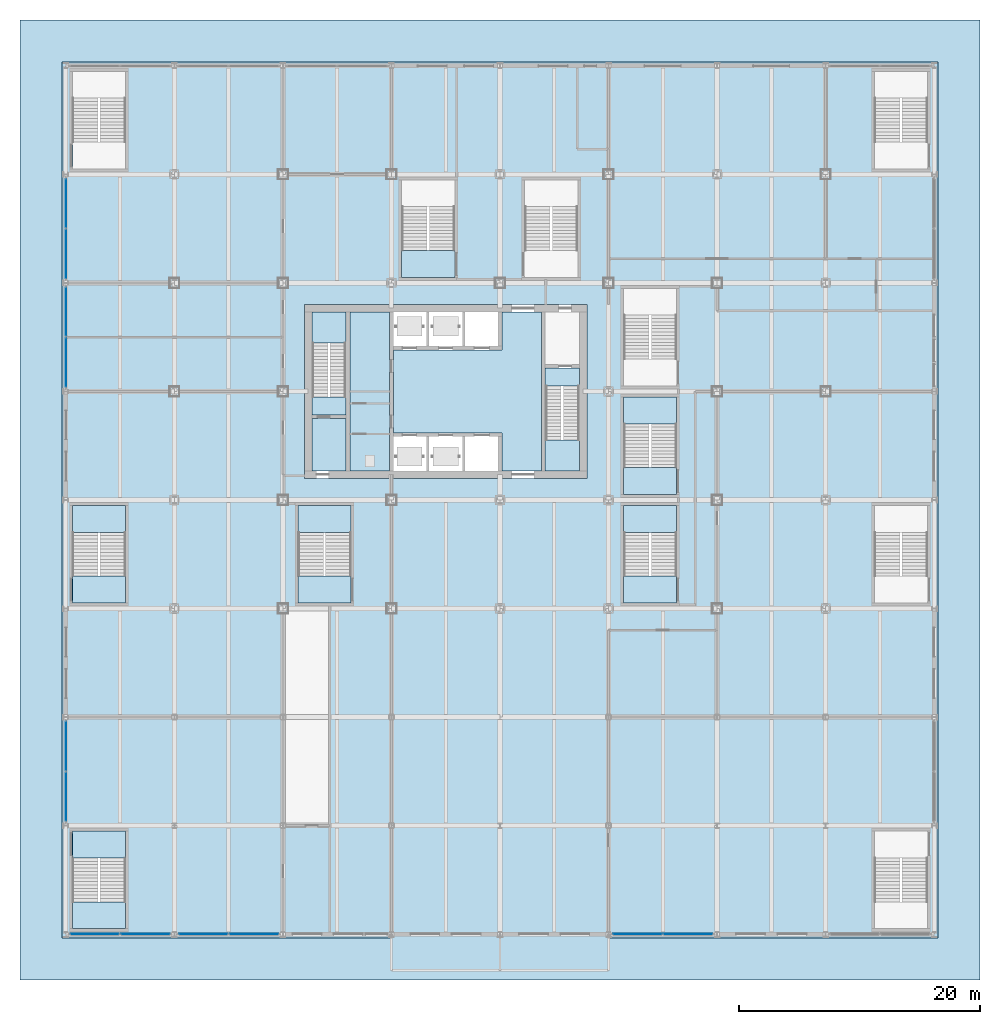
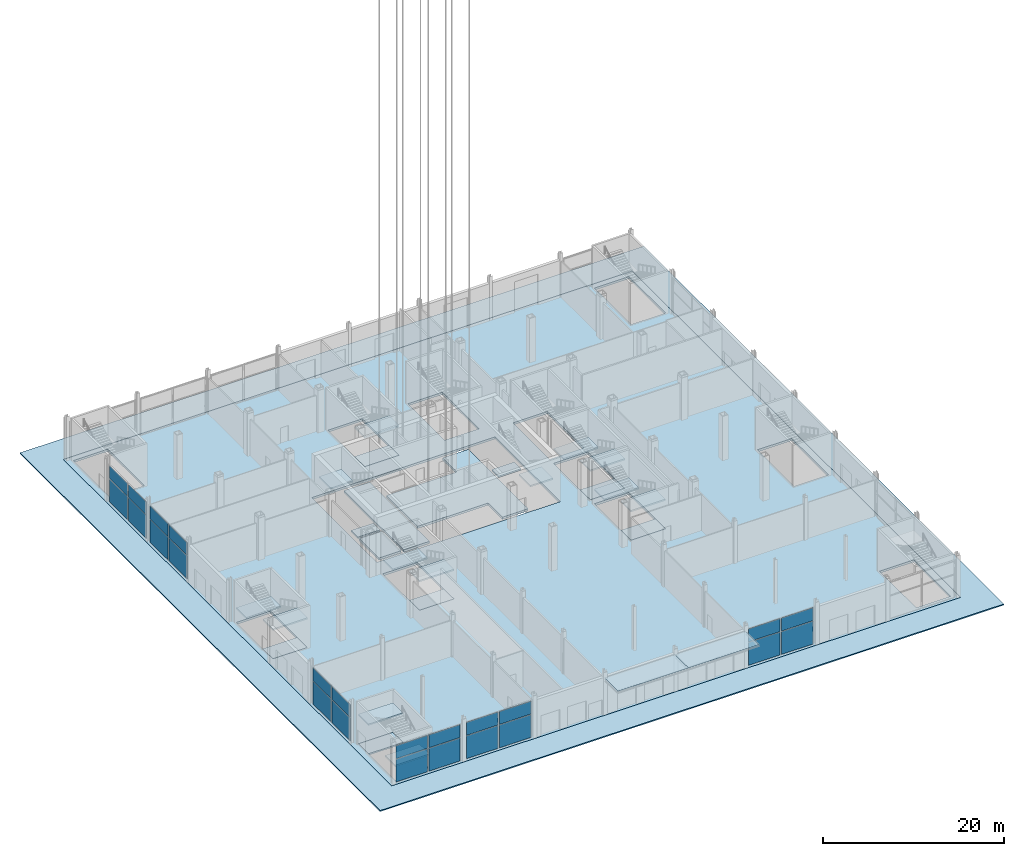
# One storey, part 16 of 34: 26 plates, 26 slabs, 14 elements without a shape of their own.
"""IFC4 building model written with IfcOpenShell, lengths in metres."""

from ifc_helpers import new_model, si_unit, direction, frame, origin, origin_2d, place, context, subcontext, project, spatial, polyline, rectangle, outline, extrude, material, layer, layer_set, type_object, element, aggregate, save


model = new_model("IFC4")

# Units and contexts
model_context = context("Model", 3, precision=1e-05, world=origin(), true_north=direction((0.0, 1.0)))
body_context = subcontext(model_context, "Body", "Model", "MODEL_VIEW")
ifc_project = project(units=[si_unit("LENGTHUNIT", "METRE"), si_unit("AREAUNIT", "SQUARE_METRE"), si_unit("VOLUMEUNIT", "CUBIC_METRE"), si_unit("PLANEANGLEUNIT", "RADIAN"), si_unit("MASSUNIT", "GRAM", prefix="KILO")], contexts=[model_context])

# Site, building, storey
site_placement = place(None, origin())
site = spatial("IfcSite", under=ifc_project, at=site_placement, CompositionType="ELEMENT")
building_placement = place(site_placement, origin())
building = spatial("IfcBuilding", under=site, at=building_placement, Name="Loomwork Tower", CompositionType="ELEMENT")
storey_placement = place(building_placement, origin())
storey = spatial("IfcBuildingStorey", under=building, at=storey_placement, Name="L00", CompositionType="ELEMENT", Elevation=0.0)

# Plates
ifc_material_1 = material(Name="Laminated glass", Category="glass")
ifc_layer_1 = layer(ifc_material_1, 0.02490234375)
ifc_layer_set_1 = layer_set([ifc_layer_1], Name="Canopy glass 25")
plate_type_1 = type_object("IfcPlateType", Name="Canopy glass 25", PredefinedType="SHEET", material=ifc_layer_set_1)
for number, where, z_axis, x_axis, name in (
    (1, (22.5, -28.5, 4.800048828125), (0.0, 0.0, 1.0), (1.0, 0.0, 0.0), "Canopy glass 18-27"),
    (2, (31.5, -28.5, 4.800048828125), (0.0, 0.0, 1.0), (1.0, 0.0, 0.0), "Canopy glass 27-36"),
):
    element("IfcPlate", number, at=place(storey_placement, frame(where, z_axis=z_axis, x_axis=x_axis)), inside=storey, type_object=plate_type_1, Name=name, PredefinedType="SHEET", context=body_context, shape_type="SweptSolid", body=[
        extrude(rectangle(XDim=9.0, YDim=3.0, at=origin_2d()), origin(), (0.0, 0.0, 1.0), 0.02490234375),
    ])

# Slabs
ifc_material_2 = material(Name="Concrete 5000 psi (34 MPa) on composite metal deck", Category="concrete")
ifc_layer_2 = layer(ifc_material_2, 0.300048828125)
ifc_layer_set_2 = layer_set([ifc_layer_2], Name="Floor slab 300")
slab_type_1 = type_object("IfcSlabType", Name="Floor slab 300", PredefinedType="FLOOR", material=ifc_layer_set_2)
slab_1_placement = place(storey_placement, frame((0.0, 0.0, -0.300048828125)))
element("IfcSlab", 3, at=slab_1_placement, inside=storey, type_object=slab_type_1, Name="Floor slab L00", PredefinedType="FLOOR", context=body_context, shape_type="SweptSolid", body=[
    extrude(outline(polyline([(-9.300048828125, -27.300048828125), (-9.300048828125, 45.300048828125), (63.300048828125, 45.300048828125), (63.300048828125, -27.300048828125), (-9.300048828125, -27.300048828125)]), holes=[polyline([(62.449951171875, -26.550048828125), (62.449951171875, -18.449951171875), (58.050048828125, -18.449951171875), (58.050048828125, -26.550048828125), (62.449951171875, -26.550048828125)]), polyline([(58.050048828125, 36.449951171875), (62.449951171875, 36.449951171875), (62.449951171875, 44.550048828125), (58.050048828125, 44.550048828125), (58.050048828125, 36.449951171875)]), polyline([(58.050048828125, 0.449951171875), (62.449951171875, 0.449951171875), (62.449951171875, 8.550048828125), (58.050048828125, 8.550048828125), (58.050048828125, 0.449951171875)]), polyline([(41.64990234375, 9.449951171875), (41.64990234375, 17.550048828125), (37.25, 17.550048828125), (37.25, 9.449951171875), (41.64990234375, 9.449951171875)]), polyline([(37.25, 18.449951171875), (41.64990234375, 18.449951171875), (41.64990234375, 26.550048828125), (37.25, 26.550048828125), (37.25, 18.449951171875)]), polyline([(37.25, 0.449951171875), (41.64990234375, 0.449951171875), (41.64990234375, 8.550048828125), (37.25, 8.550048828125), (37.25, 0.449951171875)]), polyline([(34.199951171875, 11.39990234375), (34.199951171875, 24.60009765625), (34.199951171875, 25.199951171875), (10.800048828125, 25.199951171875), (10.800048828125, 24.60009765625), (10.800048828125, 11.39990234375), (10.800048828125, 11.39990234375), (10.800048828125, 10.800048828125), (34.199951171875, 10.800048828125), (34.199951171875, 11.39990234375), (34.199951171875, 11.39990234375)]), polyline([(29.050048828125, 27.449951171875), (33.449951171875, 27.449951171875), (33.449951171875, 35.550048828125), (29.050048828125, 35.550048828125), (29.050048828125, 27.449951171875)]), polyline([(18.85009765625, 27.449951171875), (23.25, 27.449951171875), (23.25, 35.550048828125), (18.85009765625, 35.550048828125), (18.85009765625, 27.449951171875)]), polyline([(10.25, 0.449951171875), (14.64990234375, 0.449951171875), (14.64990234375, 8.550048828125), (10.25, 8.550048828125), (10.25, 0.449951171875)]), polyline([(-4.050048828125, -26.550048828125), (-4.050048828125, -18.449951171875), (-8.449951171875, -18.449951171875), (-8.449951171875, -26.550048828125), (-4.050048828125, -26.550048828125)]), polyline([(-8.449951171875, 36.449951171875), (-4.050048828125, 36.449951171875), (-4.050048828125, 44.550048828125), (-8.449951171875, 44.550048828125), (-8.449951171875, 36.449951171875)]), polyline([(-8.449951171875, 0.449951171875), (-4.050048828125, 0.449951171875), (-4.050048828125, 8.550048828125), (-8.449951171875, 8.550048828125), (-8.449951171875, 0.449951171875)])]), origin(), (0.0, 0.0, 1.0), 0.300048828125),
])
slab_2_placement = place(storey_placement, frame((0.0, 0.0, -0.300048828125)))
element("IfcSlab", 4, at=slab_2_placement, inside=storey, type_object=slab_type_1, Name="Floor slab L00", PredefinedType="FLOOR", context=body_context, shape_type="SweptSolid", body=[
    extrude(outline(polyline([(18.14990234375, 21.449951171875), (27.14990234375, 21.449951171875), (27.14990234375, 21.75), (27.14990234375, 24.60009765625), (30.449951171875, 24.60009765625), (30.449951171875, 11.39990234375), (27.14990234375, 11.39990234375), (27.14990234375, 14.25), (27.14990234375, 14.550048828125), (18.14990234375, 14.550048828125), (18.14990234375, 21.449951171875)])), origin(), (0.0, 0.0, 1.0), 0.300048828125),
])
slab_3_placement = place(storey_placement, frame((0.0, 0.0, -0.300048828125)))
element("IfcSlab", 5, at=slab_3_placement, inside=storey, type_object=slab_type_1, Name="Floor slab L00", PredefinedType="FLOOR", context=body_context, shape_type="SweptSolid", body=[
    extrude(outline(polyline([(14.550048828125, 24.60009765625), (17.85009765625, 24.60009765625), (17.85009765625, 11.39990234375), (14.550048828125, 11.39990234375), (14.550048828125, 24.60009765625)])), origin(), (0.0, 0.0, 1.0), 0.300048828125),
])
slab_4_placement = place(storey_placement, frame((0.0, 0.0, -0.300048828125)))
element("IfcSlab", 6, at=slab_4_placement, inside=storey, type_object=slab_type_1, Name="Floor slab L00", PredefinedType="FLOOR", context=body_context, shape_type="SweptSolid", body=[
    extrude(outline(polyline([(14.25, 15.75), (14.25, 11.39990234375), (11.39990234375, 11.39990234375), (11.39990234375, 15.75), (14.25, 15.75)])), origin(), (0.0, 0.0, 1.0), 0.300048828125),
])
ifc_material_3 = material(Name="Concrete paving on subbase", Category="concrete")
ifc_layer_3 = layer(ifc_material_3, 0.14990234375)
ifc_layer_set_3 = layer_set([ifc_layer_3], Name="Sidewalk paving 150")
slab_type_2 = type_object("IfcSlabType", Name="Sidewalk paving 150", PredefinedType="FLOOR", material=ifc_layer_set_3)
slab_5_placement = place(storey_placement, frame((0.0, 0.0, -0.14990234375)))
element("IfcSlab", 7, at=slab_5_placement, inside=storey, type_object=slab_type_2, Name="Sidewalk paving", PredefinedType="FLOOR", context=body_context, shape_type="SweptSolid", body=[
    extrude(outline(polyline([(-12.800048828125, -30.800048828125), (-12.800048828125, 48.800048828125), (66.800048828125, 48.800048828125), (66.800048828125, -30.800048828125), (-12.800048828125, -30.800048828125)]), holes=[polyline([(63.300048828125, 45.300048828125), (-9.300048828125, 45.300048828125), (-9.300048828125, -27.300048828125), (63.300048828125, -27.300048828125), (63.300048828125, 45.300048828125)])]), origin(), (0.0, 0.0, 1.0), 0.14990234375),
])

# Stair, slabs
ifc_material_4 = material(Name="Concrete 5000 psi (34 MPa) precast stair", Category="concrete")
stair_type_1 = type_object("IfcStairType", Name="Stair ST-A 34 risers 2850 wide", PredefinedType="HALF_TURN_STAIR", material=ifc_material_4)
stair_1_placement = place(storey_placement, origin())
stair_1 = element("IfcStair", 8, at=stair_1_placement, inside=storey, type_object=stair_type_1, Name="Stair A L00", PredefinedType="HALF_TURN_STAIR")
ifc_material_5 = material(Name="Concrete 5000 psi (34 MPa)", Category="concrete")
ifc_layer_4 = layer(ifc_material_5, 0.199951171875)
ifc_layer_set_4 = layer_set([ifc_layer_4], Name="Stair landing 200")
slab_type_3 = type_object("IfcSlabType", Name="Stair landing 200", PredefinedType="LANDING", material=ifc_layer_set_4)
slab_6_placement = place(storey_placement, frame((0.0, 0.0, -0.199951171875)))
slab_6 = element("IfcSlab", 9, at=slab_6_placement, type_object=slab_type_3, Name="ST-A landing 1", PredefinedType="LANDING", context=body_context, shape_type="SweptSolid", body=[
    extrude(outline(polyline([(11.39990234375, 16.050048828125), (14.25, 16.050048828125), (14.25, 17.550048828125), (11.39990234375, 17.550048828125), (11.39990234375, 16.050048828125)])), origin(), (0.0, 0.0, 1.0), 0.199951171875),
])
slab_7_placement = place(storey_placement, frame((0.0, 0.0, 2.800048828125)))
slab_7 = element("IfcSlab", 10, at=slab_7_placement, type_object=slab_type_3, Name="ST-A landing 2", PredefinedType="LANDING", context=body_context, shape_type="SweptSolid", body=[
    extrude(outline(polyline([(11.39990234375, 22.030029296875), (14.25, 22.030029296875), (14.25, 24.60009765625), (11.39990234375, 24.60009765625), (11.39990234375, 22.030029296875)])), origin(), (0.0, 0.0, 1.0), 0.199951171875),
])
aggregate(stair_1, [slab_6, slab_7])

ifc_material_6 = material(Name="Concrete 5000 psi (34 MPa) precast stair", Category="concrete")
stair_type_2 = type_object("IfcStairType", Name="Stair ST-B 34 risers 2850 wide", PredefinedType="HALF_TURN_STAIR", material=ifc_material_6)
stair_2_placement = place(storey_placement, origin())
stair_2 = element("IfcStair", 11, at=stair_2_placement, inside=storey, type_object=stair_type_2, Name="Stair B L00", PredefinedType="HALF_TURN_STAIR")
slab_8_placement = place(storey_placement, frame((0.0, 0.0, -0.199951171875)))
slab_8 = element("IfcSlab", 12, at=slab_8_placement, type_object=slab_type_3, Name="ST-B landing 1", PredefinedType="LANDING", context=body_context, shape_type="SweptSolid", body=[
    extrude(outline(polyline([(30.75, 18.449951171875), (33.60009765625, 18.449951171875), (33.60009765625, 19.949951171875), (30.75, 19.949951171875), (30.75, 18.449951171875)])), origin(), (0.0, 0.0, 1.0), 0.199951171875),
])
slab_9_placement = place(storey_placement, frame((0.0, 0.0, 2.800048828125)))
slab_9 = element("IfcSlab", 13, at=slab_9_placement, type_object=slab_type_3, Name="ST-B landing 2", PredefinedType="LANDING", context=body_context, shape_type="SweptSolid", body=[
    extrude(outline(polyline([(30.75, 11.39990234375), (33.60009765625, 11.39990234375), (33.60009765625, 13.969970703125), (30.75, 13.969970703125), (30.75, 11.39990234375)])), origin(), (0.0, 0.0, 1.0), 0.199951171875),
])
aggregate(stair_2, [slab_8, slab_9])

ifc_material_7 = material(Name="Concrete 5000 psi (34 MPa) precast stair", Category="concrete")
stair_type_3 = type_object("IfcStairType", Name="Stair ST-S1P 42 risers of 143 4400 wide", PredefinedType="HALF_TURN_STAIR", material=ifc_material_7)
stair_3_placement = place(storey_placement, origin())
stair_3 = element("IfcStair", 14, at=stair_3_placement, inside=storey, type_object=stair_type_3, Name="Podium stair PS1 L00", PredefinedType="HALF_TURN_STAIR")
slab_10_placement = place(storey_placement, frame((0.0, 0.0, -0.199951171875)))
slab_10 = element("IfcSlab", 15, at=slab_10_placement, type_object=slab_type_3, Name="ST-S1P landing 1", PredefinedType="LANDING", context=body_context, shape_type="SweptSolid", body=[
    extrude(outline(polyline([(-8.449951171875, -20.679931640625), (-4.050048828125, -20.679931640625), (-4.050048828125, -18.449951171875), (-8.449951171875, -18.449951171875), (-8.449951171875, -20.679931640625)])), origin(), (0.0, 0.0, 1.0), 0.199951171875),
])
slab_11_placement = place(storey_placement, frame((0.0, 0.0, 1.800048828125)))
slab_11 = element("IfcSlab", 16, at=slab_11_placement, type_object=slab_type_3, Name="ST-S1P landing 2", PredefinedType="LANDING", context=body_context, shape_type="SweptSolid", body=[
    extrude(outline(polyline([(-8.449951171875, -26.550048828125), (-4.050048828125, -26.550048828125), (-4.050048828125, -24.320068359375), (-8.449951171875, -24.320068359375), (-8.449951171875, -26.550048828125)])), origin(), (0.0, 0.0, 1.0), 0.199951171875),
])
slab_12_placement = place(storey_placement, frame((0.0, 0.0, 3.800048828125)))
slab_12 = element("IfcSlab", 17, at=slab_12_placement, type_object=slab_type_3, Name="ST-S1P landing 3", PredefinedType="LANDING", context=body_context, shape_type="SweptSolid", body=[
    extrude(outline(polyline([(-8.449951171875, -20.679931640625), (-4.050048828125, -20.679931640625), (-4.050048828125, -18.449951171875), (-8.449951171875, -18.449951171875), (-8.449951171875, -20.679931640625)])), origin(), (0.0, 0.0, 1.0), 0.199951171875),
])
aggregate(stair_3, [slab_10, slab_11, slab_12])

ifc_material_8 = material(Name="Concrete 5000 psi (34 MPa) precast stair", Category="concrete")
stair_type_4 = type_object("IfcStairType", Name="Stair ST-S5P 42 risers of 143 4400 wide", PredefinedType="HALF_TURN_STAIR", material=ifc_material_8)
stair_4_placement = place(storey_placement, origin())
stair_4 = element("IfcStair", 18, at=stair_4_placement, inside=storey, type_object=stair_type_4, Name="Podium stair PS5 L00", PredefinedType="HALF_TURN_STAIR")
slab_13_placement = place(storey_placement, frame((0.0, 0.0, -0.199951171875)))
slab_13 = element("IfcSlab", 19, at=slab_13_placement, type_object=slab_type_3, Name="ST-S5P landing 1", PredefinedType="LANDING", context=body_context, shape_type="SweptSolid", body=[
    extrude(outline(polyline([(-8.449951171875, 0.449951171875), (-4.050048828125, 0.449951171875), (-4.050048828125, 2.679931640625), (-8.449951171875, 2.679931640625), (-8.449951171875, 0.449951171875)])), origin(), (0.0, 0.0, 1.0), 0.199951171875),
])
slab_14_placement = place(storey_placement, frame((0.0, 0.0, 1.800048828125)))
slab_14 = element("IfcSlab", 20, at=slab_14_placement, type_object=slab_type_3, Name="ST-S5P landing 2", PredefinedType="LANDING", context=body_context, shape_type="SweptSolid", body=[
    extrude(outline(polyline([(-8.449951171875, 6.320068359375), (-4.050048828125, 6.320068359375), (-4.050048828125, 8.550048828125), (-8.449951171875, 8.550048828125), (-8.449951171875, 6.320068359375)])), origin(), (0.0, 0.0, 1.0), 0.199951171875),
])
slab_15_placement = place(storey_placement, frame((0.0, 0.0, 3.800048828125)))
slab_15 = element("IfcSlab", 21, at=slab_15_placement, type_object=slab_type_3, Name="ST-S5P landing 3", PredefinedType="LANDING", context=body_context, shape_type="SweptSolid", body=[
    extrude(outline(polyline([(-8.449951171875, 0.449951171875), (-4.050048828125, 0.449951171875), (-4.050048828125, 2.679931640625), (-8.449951171875, 2.679931640625), (-8.449951171875, 0.449951171875)])), origin(), (0.0, 0.0, 1.0), 0.199951171875),
])
aggregate(stair_4, [slab_13, slab_14, slab_15])

ifc_material_9 = material(Name="Concrete 5000 psi (34 MPa) precast stair", Category="concrete")
stair_type_5 = type_object("IfcStairType", Name="Stair ST-S7P 42 risers of 143 4400 wide", PredefinedType="HALF_TURN_STAIR", material=ifc_material_9)
stair_5_placement = place(storey_placement, origin())
stair_5 = element("IfcStair", 22, at=stair_5_placement, inside=storey, type_object=stair_type_5, Name="Podium stair PS7 L00", PredefinedType="HALF_TURN_STAIR")
slab_16_placement = place(storey_placement, frame((0.0, 0.0, -0.199951171875)))
slab_16 = element("IfcSlab", 23, at=slab_16_placement, type_object=slab_type_3, Name="ST-S7P landing 1", PredefinedType="LANDING", context=body_context, shape_type="SweptSolid", body=[
    extrude(outline(polyline([(37.25, 0.449951171875), (41.64990234375, 0.449951171875), (41.64990234375, 2.679931640625), (37.25, 2.679931640625), (37.25, 0.449951171875)])), origin(), (0.0, 0.0, 1.0), 0.199951171875),
])
slab_17_placement = place(storey_placement, frame((0.0, 0.0, 1.800048828125)))
slab_17 = element("IfcSlab", 24, at=slab_17_placement, type_object=slab_type_3, Name="ST-S7P landing 2", PredefinedType="LANDING", context=body_context, shape_type="SweptSolid", body=[
    extrude(outline(polyline([(37.25, 6.320068359375), (41.64990234375, 6.320068359375), (41.64990234375, 8.550048828125), (37.25, 8.550048828125), (37.25, 6.320068359375)])), origin(), (0.0, 0.0, 1.0), 0.199951171875),
])
slab_18_placement = place(storey_placement, frame((0.0, 0.0, 3.800048828125)))
slab_18 = element("IfcSlab", 25, at=slab_18_placement, type_object=slab_type_3, Name="ST-S7P landing 3", PredefinedType="LANDING", context=body_context, shape_type="SweptSolid", body=[
    extrude(outline(polyline([(37.25, 0.449951171875), (41.64990234375, 0.449951171875), (41.64990234375, 2.679931640625), (37.25, 2.679931640625), (37.25, 0.449951171875)])), origin(), (0.0, 0.0, 1.0), 0.199951171875),
])
aggregate(stair_5, [slab_16, slab_17, slab_18])

ifc_material_10 = material(Name="Concrete 5000 psi (34 MPa) precast stair", Category="concrete")
stair_type_6 = type_object("IfcStairType", Name="Stair ST-S8P 42 risers of 143 4400 wide", PredefinedType="HALF_TURN_STAIR", material=ifc_material_10)
stair_6_placement = place(storey_placement, origin())
stair_6 = element("IfcStair", 26, at=stair_6_placement, inside=storey, type_object=stair_type_6, Name="Podium stair PS8 L00", PredefinedType="HALF_TURN_STAIR")
slab_19_placement = place(storey_placement, frame((0.0, 0.0, -0.199951171875)))
slab_19 = element("IfcSlab", 27, at=slab_19_placement, type_object=slab_type_3, Name="ST-S8P landing 1", PredefinedType="LANDING", context=body_context, shape_type="SweptSolid", body=[
    extrude(outline(polyline([(37.25, 9.449951171875), (41.64990234375, 9.449951171875), (41.64990234375, 11.679931640625), (37.25, 11.679931640625), (37.25, 9.449951171875)])), origin(), (0.0, 0.0, 1.0), 0.199951171875),
])
slab_20_placement = place(storey_placement, frame((0.0, 0.0, 1.800048828125)))
slab_20 = element("IfcSlab", 28, at=slab_20_placement, type_object=slab_type_3, Name="ST-S8P landing 2", PredefinedType="LANDING", context=body_context, shape_type="SweptSolid", body=[
    extrude(outline(polyline([(37.25, 15.320068359375), (41.64990234375, 15.320068359375), (41.64990234375, 17.550048828125), (37.25, 17.550048828125), (37.25, 15.320068359375)])), origin(), (0.0, 0.0, 1.0), 0.199951171875),
])
slab_21_placement = place(storey_placement, frame((0.0, 0.0, 3.800048828125)))
slab_21 = element("IfcSlab", 29, at=slab_21_placement, type_object=slab_type_3, Name="ST-S8P landing 3", PredefinedType="LANDING", context=body_context, shape_type="SweptSolid", body=[
    extrude(outline(polyline([(37.25, 9.449951171875), (41.64990234375, 9.449951171875), (41.64990234375, 11.679931640625), (37.25, 11.679931640625), (37.25, 9.449951171875)])), origin(), (0.0, 0.0, 1.0), 0.199951171875),
])
aggregate(stair_6, [slab_19, slab_20, slab_21])

ifc_material_11 = material(Name="Concrete 5000 psi (34 MPa) precast stair", Category="concrete")
stair_type_7 = type_object("IfcStairType", Name="Stair ST-S10P 42 risers of 143 4400 wide", PredefinedType="HALF_TURN_STAIR", material=ifc_material_11)
stair_7_placement = place(storey_placement, origin())
stair_7 = element("IfcStair", 30, at=stair_7_placement, inside=storey, type_object=stair_type_7, Name="Podium stair PS10 L00", PredefinedType="HALF_TURN_STAIR")
slab_22_placement = place(storey_placement, frame((0.0, 0.0, -0.199951171875)))
slab_22 = element("IfcSlab", 31, at=slab_22_placement, type_object=slab_type_3, Name="ST-S10P landing 1", PredefinedType="LANDING", context=body_context, shape_type="SweptSolid", body=[
    extrude(outline(polyline([(18.85009765625, 27.449951171875), (23.25, 27.449951171875), (23.25, 29.679931640625), (18.85009765625, 29.679931640625), (18.85009765625, 27.449951171875)])), origin(), (0.0, 0.0, 1.0), 0.199951171875),
])
slab_23_placement = place(storey_placement, frame((0.0, 0.0, 3.800048828125)))
slab_23 = element("IfcSlab", 32, at=slab_23_placement, type_object=slab_type_3, Name="ST-S10P landing 3", PredefinedType="LANDING", context=body_context, shape_type="SweptSolid", body=[
    extrude(outline(polyline([(18.85009765625, 27.449951171875), (23.25, 27.449951171875), (23.25, 29.679931640625), (18.85009765625, 29.679931640625), (18.85009765625, 27.449951171875)])), origin(), (0.0, 0.0, 1.0), 0.199951171875),
])
aggregate(stair_7, [slab_22, slab_23])

ifc_material_12 = material(Name="Concrete 5000 psi (34 MPa) precast stair", Category="concrete")
stair_type_8 = type_object("IfcStairType", Name="Stair ST-S12P 42 risers of 143 4400 wide", PredefinedType="HALF_TURN_STAIR", material=ifc_material_12)
stair_8_placement = place(storey_placement, origin())
stair_8 = element("IfcStair", 33, at=stair_8_placement, inside=storey, type_object=stair_type_8, Name="Podium stair PS12 L00", PredefinedType="HALF_TURN_STAIR")
slab_24_placement = place(storey_placement, frame((0.0, 0.0, -0.199951171875)))
slab_24 = element("IfcSlab", 34, at=slab_24_placement, type_object=slab_type_3, Name="ST-S12P landing 1", PredefinedType="LANDING", context=body_context, shape_type="SweptSolid", body=[
    extrude(outline(polyline([(10.25, 0.449951171875), (14.64990234375, 0.449951171875), (14.64990234375, 2.679931640625), (10.25, 2.679931640625), (10.25, 0.449951171875)])), origin(), (0.0, 0.0, 1.0), 0.199951171875),
])
slab_25_placement = place(storey_placement, frame((0.0, 0.0, 1.800048828125)))
slab_25 = element("IfcSlab", 35, at=slab_25_placement, type_object=slab_type_3, Name="ST-S12P landing 2", PredefinedType="LANDING", context=body_context, shape_type="SweptSolid", body=[
    extrude(outline(polyline([(10.25, 6.320068359375), (14.64990234375, 6.320068359375), (14.64990234375, 8.550048828125), (10.25, 8.550048828125), (10.25, 6.320068359375)])), origin(), (0.0, 0.0, 1.0), 0.199951171875),
])
slab_26_placement = place(storey_placement, frame((0.0, 0.0, 3.800048828125)))
slab_26 = element("IfcSlab", 36, at=slab_26_placement, type_object=slab_type_3, Name="ST-S12P landing 3", PredefinedType="LANDING", context=body_context, shape_type="SweptSolid", body=[
    extrude(outline(polyline([(10.25, 0.449951171875), (14.64990234375, 0.449951171875), (14.64990234375, 2.679931640625), (10.25, 2.679931640625), (10.25, 0.449951171875)])), origin(), (0.0, 0.0, 1.0), 0.199951171875),
])
aggregate(stair_8, [slab_24, slab_25, slab_26])

# Curtain wall, plates
ifc_material_13 = material(Name="Aluminium storefront frame", Category="aluminium")
curtain_wall_type = type_object("IfcCurtainWallType", Name="Storefront glazing", PredefinedType="NOTDEFINED", material=ifc_material_13)
curtain_wall_1_placement = place(storey_placement, origin())
curtain_wall_1 = element("IfcCurtainWall", 37, at=curtain_wall_1_placement, inside=storey, type_object=curtain_wall_type, Name="Storefront glazing cw/S--9", PredefinedType="NOTDEFINED")
ifc_material_14 = material(Name="Clear insulated glass", Category="glass")
ifc_layer_5 = layer(ifc_material_14, 0.031982421875)
ifc_layer_set_5 = layer_set([ifc_layer_5], Name="Storefront glazing panel")
plate_type_2 = type_object("IfcPlateType", Name="Storefront glazing panel", PredefinedType="CURTAIN_PANEL", material=ifc_layer_set_5)
plate_1_placement = place(storey_placement, frame((-6.599609375, -27.0, 0.074951171875), z_axis=(0.0, 0.0, 1.0), x_axis=(1.0, 0.0, 0.0)))
plate_1 = element("IfcPlate", 38, at=plate_1_placement, type_object=plate_type_2, Name="CW7 panel 1.1", PredefinedType="CURTAIN_PANEL", context=body_context, shape_type="SweptSolid", body=[
    extrude(rectangle(XDim=3.999267578125, YDim=0.031982421875, at=origin_2d()), origin(), (0.0, 0.0, 1.0), 3.08740234375),
])
plate_2_placement = place(storey_placement, frame((-6.599609375, -27.0, 3.2373046875), z_axis=(0.0, 0.0, 1.0), x_axis=(1.0, 0.0, 0.0)))
plate_2 = element("IfcPlate", 39, at=plate_2_placement, type_object=plate_type_2, Name="CW7 panel 1.2", PredefinedType="CURTAIN_PANEL", context=body_context, shape_type="SweptSolid", body=[
    extrude(rectangle(XDim=3.999267578125, YDim=0.031982421875, at=origin_2d()), origin(), (0.0, 0.0, 1.0), 1.741455078125),
])
plate_3_placement = place(storey_placement, frame((-2.400390625, -27.0, 0.074951171875), z_axis=(0.0, 0.0, 1.0), x_axis=(1.0, 0.0, 0.0)))
plate_3 = element("IfcPlate", 40, at=plate_3_placement, type_object=plate_type_2, Name="CW7 panel 2.1", PredefinedType="CURTAIN_PANEL", context=body_context, shape_type="SweptSolid", body=[
    extrude(rectangle(XDim=3.999267578125, YDim=0.031982421875, at=origin_2d()), origin(), (0.0, 0.0, 1.0), 3.08740234375),
])
plate_4_placement = place(storey_placement, frame((-2.400390625, -27.0, 3.2373046875), z_axis=(0.0, 0.0, 1.0), x_axis=(1.0, 0.0, 0.0)))
plate_4 = element("IfcPlate", 41, at=plate_4_placement, type_object=plate_type_2, Name="CW7 panel 2.2", PredefinedType="CURTAIN_PANEL", context=body_context, shape_type="SweptSolid", body=[
    extrude(rectangle(XDim=3.999267578125, YDim=0.031982421875, at=origin_2d()), origin(), (0.0, 0.0, 1.0), 1.741455078125),
])
aggregate(curtain_wall_1, [plate_1, plate_2, plate_3, plate_4])

curtain_wall_2_placement = place(storey_placement, origin())
curtain_wall_2 = element("IfcCurtainWall", 42, at=curtain_wall_2_placement, inside=storey, type_object=curtain_wall_type, Name="Storefront glazing cw/S-0", PredefinedType="NOTDEFINED")
plate_5_placement = place(storey_placement, frame((2.400390625, -27.0, 0.074951171875), z_axis=(0.0, 0.0, 1.0), x_axis=(1.0, 0.0, 0.0)))
plate_5 = element("IfcPlate", 43, at=plate_5_placement, type_object=plate_type_2, Name="CW7 panel 1.1", PredefinedType="CURTAIN_PANEL", context=body_context, shape_type="SweptSolid", body=[
    extrude(rectangle(XDim=3.999267578125, YDim=0.031982421875, at=origin_2d()), origin(), (0.0, 0.0, 1.0), 3.08740234375),
])
plate_6_placement = place(storey_placement, frame((2.400390625, -27.0, 3.2373046875), z_axis=(0.0, 0.0, 1.0), x_axis=(1.0, 0.0, 0.0)))
plate_6 = element("IfcPlate", 44, at=plate_6_placement, type_object=plate_type_2, Name="CW7 panel 1.2", PredefinedType="CURTAIN_PANEL", context=body_context, shape_type="SweptSolid", body=[
    extrude(rectangle(XDim=3.999267578125, YDim=0.031982421875, at=origin_2d()), origin(), (0.0, 0.0, 1.0), 1.741455078125),
])
plate_7_placement = place(storey_placement, frame((6.599609375, -27.0, 0.074951171875), z_axis=(0.0, 0.0, 1.0), x_axis=(1.0, 0.0, 0.0)))
plate_7 = element("IfcPlate", 45, at=plate_7_placement, type_object=plate_type_2, Name="CW7 panel 2.1", PredefinedType="CURTAIN_PANEL", context=body_context, shape_type="SweptSolid", body=[
    extrude(rectangle(XDim=3.999267578125, YDim=0.031982421875, at=origin_2d()), origin(), (0.0, 0.0, 1.0), 3.08740234375),
])
plate_8_placement = place(storey_placement, frame((6.599609375, -27.0, 3.2373046875), z_axis=(0.0, 0.0, 1.0), x_axis=(1.0, 0.0, 0.0)))
plate_8 = element("IfcPlate", 46, at=plate_8_placement, type_object=plate_type_2, Name="CW7 panel 2.2", PredefinedType="CURTAIN_PANEL", context=body_context, shape_type="SweptSolid", body=[
    extrude(rectangle(XDim=3.999267578125, YDim=0.031982421875, at=origin_2d()), origin(), (0.0, 0.0, 1.0), 1.741455078125),
])
aggregate(curtain_wall_2, [plate_5, plate_6, plate_7, plate_8])

curtain_wall_3_placement = place(storey_placement, origin())
curtain_wall_3 = element("IfcCurtainWall", 47, at=curtain_wall_3_placement, inside=storey, type_object=curtain_wall_type, Name="Storefront glazing cw/S-36", PredefinedType="NOTDEFINED")
plate_9_placement = place(storey_placement, frame((38.3994140625, -27.0, 0.074951171875), z_axis=(0.0, 0.0, 1.0), x_axis=(1.0, 0.0, 0.0)))
plate_9 = element("IfcPlate", 48, at=plate_9_placement, type_object=plate_type_2, Name="CW7 panel 1.1", PredefinedType="CURTAIN_PANEL", context=body_context, shape_type="SweptSolid", body=[
    extrude(rectangle(XDim=3.997314453125, YDim=0.031982421875, at=origin_2d()), origin(), (0.0, 0.0, 1.0), 3.08740234375),
])
plate_10_placement = place(storey_placement, frame((38.3994140625, -27.0, 3.2373046875), z_axis=(0.0, 0.0, 1.0), x_axis=(1.0, 0.0, 0.0)))
plate_10 = element("IfcPlate", 49, at=plate_10_placement, type_object=plate_type_2, Name="CW7 panel 1.2", PredefinedType="CURTAIN_PANEL", context=body_context, shape_type="SweptSolid", body=[
    extrude(rectangle(XDim=3.997314453125, YDim=0.031982421875, at=origin_2d()), origin(), (0.0, 0.0, 1.0), 1.741455078125),
])
plate_11_placement = place(storey_placement, frame((42.5966796875, -27.0, 0.074951171875), z_axis=(0.0, 0.0, 1.0), x_axis=(1.0, 0.0, 0.0)))
plate_11 = element("IfcPlate", 50, at=plate_11_placement, type_object=plate_type_2, Name="CW7 panel 2.1", PredefinedType="CURTAIN_PANEL", context=body_context, shape_type="SweptSolid", body=[
    extrude(rectangle(XDim=3.997314453125, YDim=0.031982421875, at=origin_2d()), origin(), (0.0, 0.0, 1.0), 3.08740234375),
])
plate_12_placement = place(storey_placement, frame((42.5966796875, -27.0, 3.2373046875), z_axis=(0.0, 0.0, 1.0), x_axis=(1.0, 0.0, 0.0)))
plate_12 = element("IfcPlate", 51, at=plate_12_placement, type_object=plate_type_2, Name="CW7 panel 2.2", PredefinedType="CURTAIN_PANEL", context=body_context, shape_type="SweptSolid", body=[
    extrude(rectangle(XDim=3.997314453125, YDim=0.031982421875, at=origin_2d()), origin(), (0.0, 0.0, 1.0), 1.741455078125),
])
aggregate(curtain_wall_3, [plate_9, plate_10, plate_11, plate_12])

curtain_wall_4_placement = place(storey_placement, origin())
curtain_wall_4 = element("IfcCurtainWall", 52, at=curtain_wall_4_placement, inside=storey, type_object=curtain_wall_type, Name="Storefront glazing cw/W--18", PredefinedType="NOTDEFINED")
plate_13_placement = place(storey_placement, frame((-9.0, -11.400390625, 0.074951171875), z_axis=(0.0, 0.0, 1.0), x_axis=(0.0, -1.0, 0.0)))
plate_13 = element("IfcPlate", 53, at=plate_13_placement, type_object=plate_type_2, Name="CW7 panel 1.1", PredefinedType="CURTAIN_PANEL", context=body_context, shape_type="SweptSolid", body=[
    extrude(rectangle(XDim=3.999267578125, YDim=0.031982421875, at=origin_2d()), origin(), (0.0, 0.0, 1.0), 3.08740234375),
])
plate_14_placement = place(storey_placement, frame((-9.0, -11.400390625, 3.2373046875), z_axis=(0.0, 0.0, 1.0), x_axis=(0.0, -1.0, 0.0)))
plate_14 = element("IfcPlate", 54, at=plate_14_placement, type_object=plate_type_2, Name="CW7 panel 1.2", PredefinedType="CURTAIN_PANEL", context=body_context, shape_type="SweptSolid", body=[
    extrude(rectangle(XDim=3.999267578125, YDim=0.031982421875, at=origin_2d()), origin(), (0.0, 0.0, 1.0), 1.741455078125),
])
plate_15_placement = place(storey_placement, frame((-9.0, -15.599609375, 0.074951171875), z_axis=(0.0, 0.0, 1.0), x_axis=(0.0, -1.0, 0.0)))
plate_15 = element("IfcPlate", 55, at=plate_15_placement, type_object=plate_type_2, Name="CW7 panel 2.1", PredefinedType="CURTAIN_PANEL", context=body_context, shape_type="SweptSolid", body=[
    extrude(rectangle(XDim=3.999267578125, YDim=0.031982421875, at=origin_2d()), origin(), (0.0, 0.0, 1.0), 3.08740234375),
])
plate_16_placement = place(storey_placement, frame((-9.0, -15.599609375, 3.2373046875), z_axis=(0.0, 0.0, 1.0), x_axis=(0.0, -1.0, 0.0)))
plate_16 = element("IfcPlate", 56, at=plate_16_placement, type_object=plate_type_2, Name="CW7 panel 2.2", PredefinedType="CURTAIN_PANEL", context=body_context, shape_type="SweptSolid", body=[
    extrude(rectangle(XDim=3.999267578125, YDim=0.031982421875, at=origin_2d()), origin(), (0.0, 0.0, 1.0), 1.741455078125),
])
aggregate(curtain_wall_4, [plate_13, plate_14, plate_15, plate_16])

curtain_wall_5_placement = place(storey_placement, origin())
curtain_wall_5 = element("IfcCurtainWall", 57, at=curtain_wall_5_placement, inside=storey, type_object=curtain_wall_type, Name="Storefront glazing cw/W-18", PredefinedType="NOTDEFINED")
plate_17_placement = place(storey_placement, frame((-9.0, 24.599609375, 0.074951171875), z_axis=(0.0, 0.0, 1.0), x_axis=(0.0, -1.0, 0.0)))
plate_17 = element("IfcPlate", 58, at=plate_17_placement, type_object=plate_type_2, Name="CW7 panel 1.1", PredefinedType="CURTAIN_PANEL", context=body_context, shape_type="SweptSolid", body=[
    extrude(rectangle(XDim=3.999267578125, YDim=0.031982421875, at=origin_2d()), origin(), (0.0, 0.0, 1.0), 3.08740234375),
])
plate_18_placement = place(storey_placement, frame((-9.0, 24.599609375, 3.2373046875), z_axis=(0.0, 0.0, 1.0), x_axis=(0.0, -1.0, 0.0)))
plate_18 = element("IfcPlate", 59, at=plate_18_placement, type_object=plate_type_2, Name="CW7 panel 1.2", PredefinedType="CURTAIN_PANEL", context=body_context, shape_type="SweptSolid", body=[
    extrude(rectangle(XDim=3.999267578125, YDim=0.031982421875, at=origin_2d()), origin(), (0.0, 0.0, 1.0), 1.741455078125),
])
plate_19_placement = place(storey_placement, frame((-9.0, 20.400390625, 0.074951171875), z_axis=(0.0, 0.0, 1.0), x_axis=(0.0, -1.0, 0.0)))
plate_19 = element("IfcPlate", 60, at=plate_19_placement, type_object=plate_type_2, Name="CW7 panel 2.1", PredefinedType="CURTAIN_PANEL", context=body_context, shape_type="SweptSolid", body=[
    extrude(rectangle(XDim=3.999267578125, YDim=0.031982421875, at=origin_2d()), origin(), (0.0, 0.0, 1.0), 3.08740234375),
])
plate_20_placement = place(storey_placement, frame((-9.0, 20.400390625, 3.2373046875), z_axis=(0.0, 0.0, 1.0), x_axis=(0.0, -1.0, 0.0)))
plate_20 = element("IfcPlate", 61, at=plate_20_placement, type_object=plate_type_2, Name="CW7 panel 2.2", PredefinedType="CURTAIN_PANEL", context=body_context, shape_type="SweptSolid", body=[
    extrude(rectangle(XDim=3.999267578125, YDim=0.031982421875, at=origin_2d()), origin(), (0.0, 0.0, 1.0), 1.741455078125),
])
aggregate(curtain_wall_5, [plate_17, plate_18, plate_19, plate_20])

curtain_wall_6_placement = place(storey_placement, origin())
curtain_wall_6 = element("IfcCurtainWall", 62, at=curtain_wall_6_placement, inside=storey, type_object=curtain_wall_type, Name="Storefront glazing cw/W-27", PredefinedType="NOTDEFINED")
plate_21_placement = place(storey_placement, frame((-9.0, 33.599609375, 0.074951171875), z_axis=(0.0, 0.0, 1.0), x_axis=(0.0, -1.0, 0.0)))
plate_21 = element("IfcPlate", 63, at=plate_21_placement, type_object=plate_type_2, Name="CW7 panel 1.1", PredefinedType="CURTAIN_PANEL", context=body_context, shape_type="SweptSolid", body=[
    extrude(rectangle(XDim=3.999267578125, YDim=0.031982421875, at=origin_2d()), origin(), (0.0, 0.0, 1.0), 3.08740234375),
])
plate_22_placement = place(storey_placement, frame((-9.0, 33.599609375, 3.2373046875), z_axis=(0.0, 0.0, 1.0), x_axis=(0.0, -1.0, 0.0)))
plate_22 = element("IfcPlate", 64, at=plate_22_placement, type_object=plate_type_2, Name="CW7 panel 1.2", PredefinedType="CURTAIN_PANEL", context=body_context, shape_type="SweptSolid", body=[
    extrude(rectangle(XDim=3.999267578125, YDim=0.031982421875, at=origin_2d()), origin(), (0.0, 0.0, 1.0), 1.741455078125),
])
plate_23_placement = place(storey_placement, frame((-9.0, 29.400390625, 0.074951171875), z_axis=(0.0, 0.0, 1.0), x_axis=(0.0, -1.0, 0.0)))
plate_23 = element("IfcPlate", 65, at=plate_23_placement, type_object=plate_type_2, Name="CW7 panel 2.1", PredefinedType="CURTAIN_PANEL", context=body_context, shape_type="SweptSolid", body=[
    extrude(rectangle(XDim=3.999267578125, YDim=0.031982421875, at=origin_2d()), origin(), (0.0, 0.0, 1.0), 3.08740234375),
])
plate_24_placement = place(storey_placement, frame((-9.0, 29.400390625, 3.2373046875), z_axis=(0.0, 0.0, 1.0), x_axis=(0.0, -1.0, 0.0)))
plate_24 = element("IfcPlate", 66, at=plate_24_placement, type_object=plate_type_2, Name="CW7 panel 2.2", PredefinedType="CURTAIN_PANEL", context=body_context, shape_type="SweptSolid", body=[
    extrude(rectangle(XDim=3.999267578125, YDim=0.031982421875, at=origin_2d()), origin(), (0.0, 0.0, 1.0), 1.741455078125),
])
aggregate(curtain_wall_6, [plate_21, plate_22, plate_23, plate_24])

save(model, "model.ifc")
